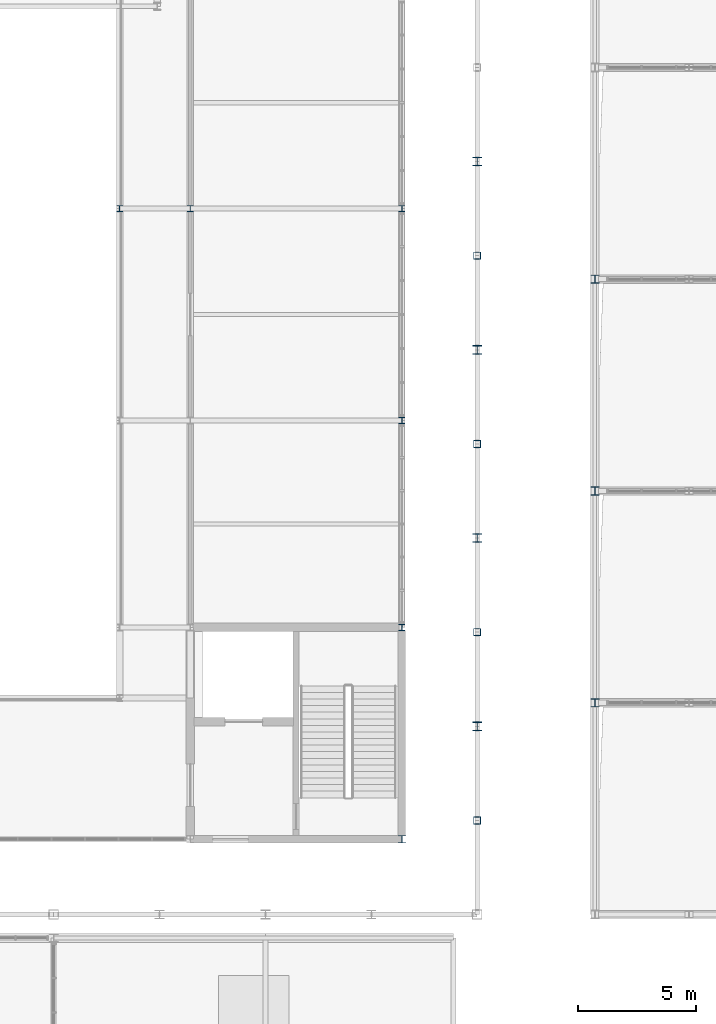
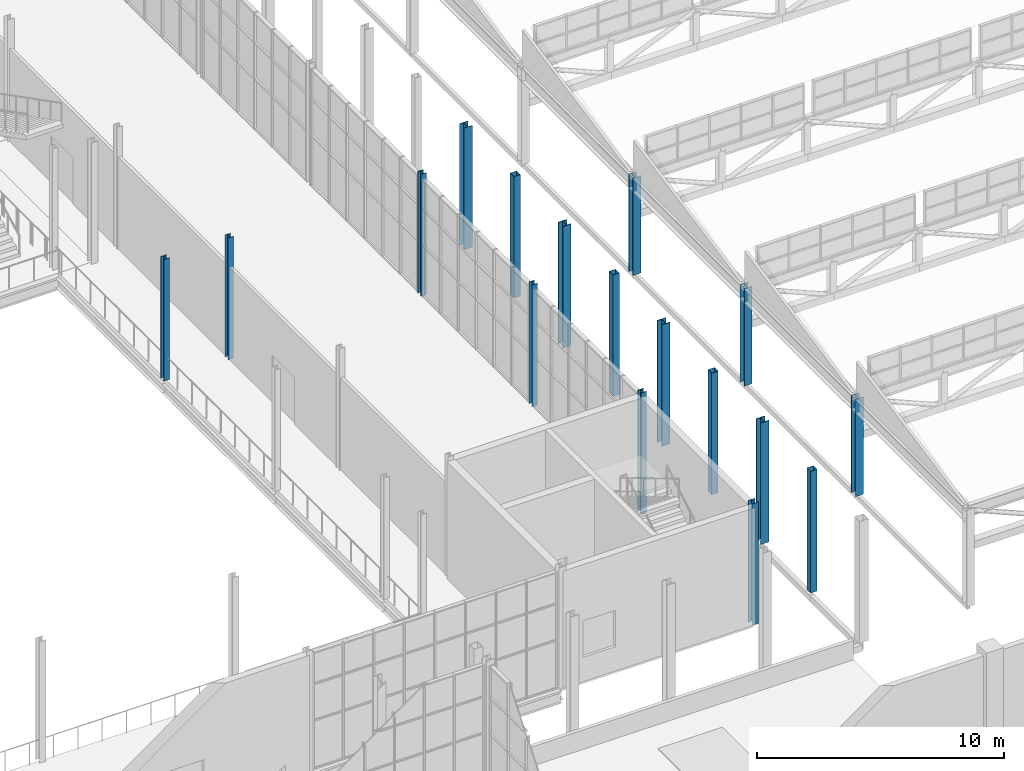
# One storey, part 22 of 159: 17 columns.
"""IFC4 building model written with IfcOpenShell, lengths in metres."""

from ifc_helpers import new_model, si_unit, direction, frame, origin, origin_2d, place, context, subcontext, project, spatial, hollow_rectangle, i_section, extrude, material, material_profile, profile_set, type_object, element, save


model = new_model("IFC4")

# Units and contexts
model_context = context("Model", 3, precision=1e-05, world=origin(), true_north=direction((0.0, 1.0)))
body_context = subcontext(model_context, "Body", "Model", "MODEL_VIEW")
ifc_project = project(units=[si_unit("LENGTHUNIT", "METRE"), si_unit("AREAUNIT", "SQUARE_METRE"), si_unit("VOLUMEUNIT", "CUBIC_METRE"), si_unit("PLANEANGLEUNIT", "RADIAN"), si_unit("MASSUNIT", "GRAM", prefix="KILO")], contexts=[model_context])

# Site, building, storey
site_placement = place(None, origin())
site = spatial("IfcSite", under=ifc_project, at=site_placement, CompositionType="ELEMENT")
building_placement = place(site_placement, origin())
building = spatial("IfcBuilding", under=site, at=building_placement, Name="Cazmaro Siding Exhibition Halls", CompositionType="ELEMENT")
storey_placement = place(building_placement, frame((0.0, 0.0, 6.0)))
storey = spatial("IfcBuildingStorey", under=building, at=storey_placement, Name="L01", CompositionType="ELEMENT", Elevation=6.0)

# Columns
ifc_material_1 = material(Name="Steel ASTM A992 Grade 50", Category="steel")
ifc_material_profile_1 = material_profile(ifc_material_1, i_section(OverallWidth=0.39208984375, OverallDepth=0.3759765625, WebThickness=0.01708984375, FlangeThickness=0.028076171875, at=origin_2d()), Name="W14X145")
ifc_profile_set_1 = profile_set([ifc_material_profile_1], Name="Steel ASTM A992 Grade 50")
column_type_1 = type_object("IfcColumnType", Name="C-03", PredefinedType="COLUMN", material=ifc_profile_set_1)
for number, where, z_axis, x_axis, name in (
    (1, (171.0, 72.0, 0.0), (0.0, 0.0, 1.0), (1.0, 0.0, 0.0), "Column C-03 COL-0221"),
    (2, (171.0, 80.0, 0.0), (0.0, 0.0, 1.0), (1.0, 0.0, 0.0), "Column C-03 COL-0227"),
    (3, (171.0, 88.0, 0.0), (0.0, 0.0, 1.0), (1.0, 0.0, 0.0), "Column C-03 COL-0233"),
    (4, (171.0, 96.0, 0.0), (0.0, 0.0, 1.0), (1.0, 0.0, 0.0), "Column C-03 COL-0239"),
):
    element("IfcColumn", number, at=place(storey_placement, frame(where, z_axis=z_axis, x_axis=x_axis)), inside=storey, type_object=column_type_1, Name=name, PredefinedType="COLUMN", context=body_context, shape_type="SweptSolid", body=[
        extrude(i_section(OverallWidth=0.39208984375, OverallDepth=0.3759765625, WebThickness=0.01708984375, FlangeThickness=0.028076171875, at=origin_2d()), origin(), (0.0, 0.0, 1.0), 6.0),
    ])
ifc_material_2 = material(Name="Steel ASTM A992 Grade 50", Category="steel")
ifc_material_profile_2 = material_profile(ifc_material_2, i_section(OverallWidth=0.367919921875, OverallDepth=0.35595703125, WebThickness=0.010986328125, FlangeThickness=0.01806640625, at=origin_2d()), Name="W14X90")
ifc_profile_set_2 = profile_set([ifc_material_profile_2], Name="Steel ASTM A992 Grade 50")
column_type_2 = type_object("IfcColumnType", Name="C-05", PredefinedType="COLUMN", material=ifc_profile_set_2)
for number, where, z_axis, x_axis, name in (
    (5, (176.0, 73.0, 0.0), (0.0, 0.0, 1.0), (1.0, 0.0, 0.0), "Column C-05 COL-0680"),
    (6, (176.0, 82.0, 0.0), (0.0, 0.0, 1.0), (1.0, 0.0, 0.0), "Column C-05 COL-0682"),
    (7, (176.0, 91.0, 0.0), (0.0, 0.0, 1.0), (1.0, 0.0, 0.0), "Column C-05 COL-0684"),
):
    element("IfcColumn", number, at=place(storey_placement, frame(where, z_axis=z_axis, x_axis=x_axis)), inside=storey, type_object=column_type_2, Name=name, PredefinedType="COLUMN", context=body_context, shape_type="SweptSolid", body=[
        extrude(i_section(OverallWidth=0.367919921875, OverallDepth=0.35595703125, WebThickness=0.010986328125, FlangeThickness=0.01806640625, at=origin_2d()), origin(), (0.0, 0.0, 1.0), 4.800048828125),
    ])
ifc_material_3 = material(Name="Steel ASTM A992 Grade 50", Category="steel")
ifc_material_profile_3 = material_profile(ifc_material_3, i_section(OverallWidth=0.304931640625, OverallDepth=0.306884765625, WebThickness=0.010009765625, FlangeThickness=0.014892578125, at=origin_2d()), Name="W12X65")
ifc_profile_set_3 = profile_set([ifc_material_profile_3], Name="Steel ASTM A992 Grade 50")
column_type_3 = type_object("IfcColumnType", Name="C-06", PredefinedType="COLUMN", material=ifc_profile_set_3)
column_placement = place(storey_placement, frame((167.800048828125, 67.199951171875, 0.0), z_axis=(0.0, 0.0, 1.0), x_axis=(1.0, 0.0, 0.0)))
element("IfcColumn", 8, at=column_placement, inside=storey, type_object=column_type_3, Name="Column C-06 COL-0384", PredefinedType="COLUMN", context=body_context, shape_type="SweptSolid", body=[
    extrude(i_section(OverallWidth=0.304931640625, OverallDepth=0.306884765625, WebThickness=0.010009765625, FlangeThickness=0.014892578125, at=origin_2d()), origin(), (0.0, 0.0, 1.0), 6.0),
])
ifc_material_4 = material(Name="Steel ASTM A992 Grade 50", Category="steel")
ifc_material_profile_4 = material_profile(ifc_material_4, i_section(OverallWidth=0.257080078125, OverallDepth=0.263916015625, WebThickness=0.011962890625, FlangeThickness=0.02001953125, at=origin_2d()), Name="W10X68")
ifc_profile_set_4 = profile_set([ifc_material_profile_4], Name="Steel ASTM A992 Grade 50")
column_type_4 = type_object("IfcColumnType", Name="C-14", PredefinedType="COLUMN", material=ifc_profile_set_4)
for number, where, z_axis, x_axis, name in (
    (9, (155.800048828125, 94.0, 0.0), (0.0, 0.0, 1.0), (1.0, 0.0, 0.0), "Column C-14 COL-0425"),
    (10, (158.800048828125, 94.0, 0.0), (0.0, 0.0, 1.0), (1.0, 0.0, 0.0), "Column C-14 COL-0434"),
    (11, (167.800048828125, 76.199951171875, 0.0), (0.0, 0.0, 1.0), (1.0, 0.0, 0.0), "Column C-14 COL-0438"),
    (12, (167.800048828125, 85.0, 0.0), (0.0, 0.0, 1.0), (1.0, 0.0, 0.0), "Column C-14 COL-0441"),
    (13, (167.800048828125, 94.0, 0.0), (0.0, 0.0, 1.0), (1.0, 0.0, 0.0), "Column C-14 COL-0444"),
):
    element("IfcColumn", number, at=place(storey_placement, frame(where, z_axis=z_axis, x_axis=x_axis)), inside=storey, type_object=column_type_4, Name=name, PredefinedType="COLUMN", context=body_context, shape_type="SweptSolid", body=[
        extrude(i_section(OverallWidth=0.257080078125, OverallDepth=0.263916015625, WebThickness=0.011962890625, FlangeThickness=0.02001953125, at=origin_2d()), origin(), (0.0, 0.0, 1.0), 6.0),
    ])
ifc_material_5 = material(Name="Steel ASTM A500 Grade C", Category="steel")
ifc_material_profile_5 = material_profile(ifc_material_5, hollow_rectangle(XDim=0.304931640625, YDim=0.304931640625, WallThickness=0.014892578125, at=origin_2d()), Name="HSS12X12X5/8")
ifc_profile_set_5 = profile_set([ifc_material_profile_5], Name="Steel ASTM A500 Grade C")
column_type_5 = type_object("IfcColumnType", Name="PL-02", PredefinedType="PILASTER", material=ifc_profile_set_5)
for number, where, z_axis, x_axis, name in (
    (14, (171.0, 68.0, 0.0), (0.0, 0.0, 1.0), (1.0, 0.0, 0.0), "Column PL-02 COL-0218"),
    (15, (171.0, 76.0, 0.0), (0.0, 0.0, 1.0), (1.0, 0.0, 0.0), "Column PL-02 COL-0224"),
    (16, (171.0, 84.0, 0.0), (0.0, 0.0, 1.0), (1.0, 0.0, 0.0), "Column PL-02 COL-0230"),
    (17, (171.0, 92.0, 0.0), (0.0, 0.0, 1.0), (1.0, 0.0, 0.0), "Column PL-02 COL-0236"),
):
    element("IfcColumn", number, at=place(storey_placement, frame(where, z_axis=z_axis, x_axis=x_axis)), inside=storey, type_object=column_type_5, Name=name, PredefinedType="PILASTER", context=body_context, shape_type="SweptSolid", body=[
        extrude(hollow_rectangle(XDim=0.304931640625, YDim=0.304931640625, WallThickness=0.014892578125, at=origin_2d()), origin(), (0.0, 0.0, 1.0), 6.0),
    ])

save(model, "model.ifc")
